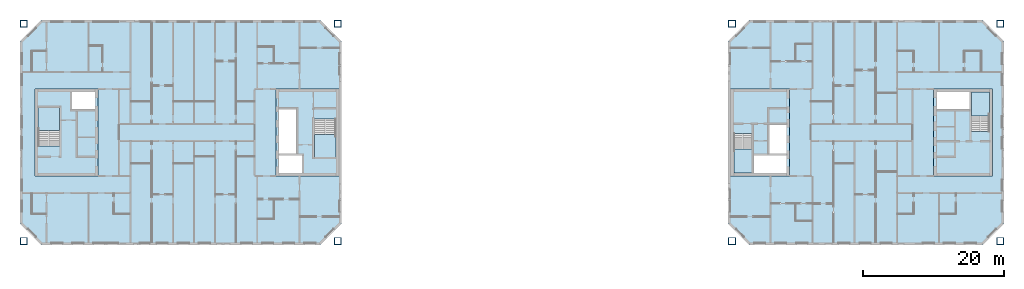
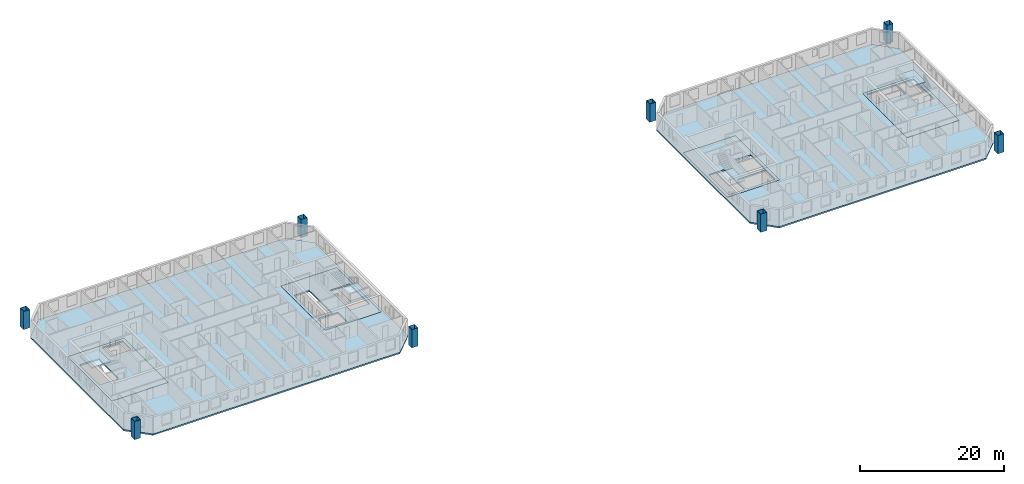
# One storey, part 1 of 15: 10 slabs, 8 columns, 4 elements without a shape of their own.
"""IFC4 building model written with IfcOpenShell, lengths in metres."""

from ifc_helpers import new_model, si_unit, direction, frame, origin, origin_2d, place, context, subcontext, project, spatial, polyline, hollow_rectangle, outline, extrude, material, layer, layer_set, material_profile, profile_set, type_object, element, aggregate, save


model = new_model("IFC4")

# Units and contexts
model_context = context("Model", 3, precision=1e-05, world=origin(), true_north=direction((0.0, 1.0)))
body_context = subcontext(model_context, "Body", "Model", "MODEL_VIEW")
ifc_project = project(units=[si_unit("LENGTHUNIT", "METRE"), si_unit("AREAUNIT", "SQUARE_METRE"), si_unit("VOLUMEUNIT", "CUBIC_METRE"), si_unit("PLANEANGLEUNIT", "RADIAN"), si_unit("MASSUNIT", "GRAM", prefix="KILO")], contexts=[model_context])

# Site, building, storey
site_placement = place(None, origin())
site = spatial("IfcSite", under=ifc_project, at=site_placement, CompositionType="ELEMENT")
building_placement = place(site_placement, origin())
building = spatial("IfcBuilding", under=site, at=building_placement, Name="Tuart Gate Housing", CompositionType="ELEMENT")
storey_placement = place(building_placement, frame((0.0, 0.0, 185.10009765625)))
storey = spatial("IfcBuildingStorey", under=building, at=storey_placement, Name="L52", CompositionType="ELEMENT", Elevation=185.10009765625)

# Columns
ifc_material_1 = material(Name="Steel Grade 350", Category="steel")
ifc_material_profile = material_profile(ifc_material_1, hollow_rectangle(XDim=1.0, YDim=1.0, WallThickness=0.054931640625, at=origin_2d()), Name="BOX 1000x1000x55")
ifc_profile_set = profile_set([ifc_material_profile], Name="Steel Grade 350")
column_type = type_object("IfcColumnType", Name="Mega column BOX 1000x1000x55", PredefinedType="COLUMN", material=ifc_profile_set)
for number, where, z_axis, x_axis, name in (
    (1, (30.800048828125, 54.550048828125, 0.0), (0.0, 0.0, 1.0), (1.0, 0.0, 0.0), "Mega column A south-west L52"),
    (2, (75.449951171875, 54.550048828125, 0.0), (0.0, 0.0, 1.0), (1.0, 0.0, 0.0), "Mega column A south-east L52"),
    (3, (75.449951171875, 85.449951171875, 0.0), (0.0, 0.0, 1.0), (1.0, 0.0, 0.0), "Mega column A north-east L52"),
    (4, (30.800048828125, 85.449951171875, 0.0), (0.0, 0.0, 1.0), (1.0, 0.0, 0.0), "Mega column A north-west L52"),
    (5, (131.550048828125, 54.550048828125, 0.0), (0.0, 0.0, 1.0), (1.0, 0.0, 0.0), "Mega column B south-west L52"),
    (6, (169.699951171875, 54.550048828125, 0.0), (0.0, 0.0, 1.0), (1.0, 0.0, 0.0), "Mega column B south-east L52"),
    (7, (169.699951171875, 85.449951171875, 0.0), (0.0, 0.0, 1.0), (1.0, 0.0, 0.0), "Mega column B north-east L52"),
    (8, (131.550048828125, 85.449951171875, 0.0), (0.0, 0.0, 1.0), (1.0, 0.0, 0.0), "Mega column B north-west L52"),
):
    element("IfcColumn", number, at=place(storey_placement, frame(where, z_axis=z_axis, x_axis=x_axis)), inside=storey, type_object=column_type, Name=name, PredefinedType="COLUMN", context=body_context, shape_type="SweptSolid", body=[
        extrude(hollow_rectangle(XDim=1.0, YDim=1.0, WallThickness=0.054931640625, at=origin_2d()), origin(), (0.0, 0.0, 1.0), 3.099853515625),
    ])

# Slabs
ifc_material_2 = material(Name="Concrete C40", Category="concrete")
ifc_layer_1 = layer(ifc_material_2, 0.25)
ifc_layer_set_1 = layer_set([ifc_layer_1], Name="Core floor slab 250")
slab_type_1 = type_object("IfcSlabType", Name="Core floor slab 250", PredefinedType="FLOOR", material=ifc_layer_set_1)
slab_1_placement = place(storey_placement, frame((0.0, 0.0, -0.25)))
element("IfcSlab", 9, at=slab_1_placement, inside=storey, type_object=slab_type_1, Name="Core floor AG", PredefinedType="FLOOR", context=body_context, shape_type="SweptSolid", body=[
    extrude(outline(polyline([(66.639892578125, 63.800048828125), (75.639892578125, 63.800048828125), (75.639892578125, 76.199951171875), (66.639892578125, 76.199951171875), (66.639892578125, 63.800048828125)]), holes=[polyline([(67.090087890625, 64.25), (70.385009765625, 64.25), (70.385009765625, 66.72509765625), (67.090087890625, 66.72509765625), (67.090087890625, 64.25)]), polyline([(67.090087890625, 66.97509765625), (69.56494140625, 66.97509765625), (69.56494140625, 73.324951171875), (67.090087890625, 73.324951171875), (67.090087890625, 66.97509765625)]), polyline([(72.114990234375, 66.35009765625), (75.18994140625, 66.35009765625), (75.18994140625, 71.929931640625), (72.114990234375, 71.929931640625), (72.114990234375, 66.35009765625)])]), origin(), (0.0, 0.0, 1.0), 0.25),
])
slab_2_placement = place(storey_placement, frame((0.0, 0.0, -0.25)))
element("IfcSlab", 10, at=slab_2_placement, inside=storey, type_object=slab_type_1, Name="Core floor AK", PredefinedType="FLOOR", context=body_context, shape_type="SweptSolid", body=[
    extrude(outline(polyline([(32.360107421875, 63.800048828125), (41.360107421875, 63.800048828125), (41.360107421875, 76.199951171875), (32.360107421875, 76.199951171875), (32.360107421875, 63.800048828125)]), holes=[polyline([(40.909912109375, 75.75), (37.614990234375, 75.75), (37.614990234375, 73.27490234375), (40.909912109375, 73.27490234375), (40.909912109375, 75.75)]), polyline([(35.885009765625, 73.64990234375), (32.81005859375, 73.64990234375), (32.81005859375, 68.070068359375), (35.885009765625, 68.070068359375), (35.885009765625, 73.64990234375)])]), origin(), (0.0, 0.0, 1.0), 0.25),
])
slab_3_placement = place(storey_placement, frame((0.0, 0.0, -0.25)))
element("IfcSlab", 11, at=slab_3_placement, inside=storey, type_object=slab_type_1, Name="Core floor BG", PredefinedType="FLOOR", context=body_context, shape_type="SweptSolid", body=[
    extrude(outline(polyline([(131.360107421875, 63.800048828125), (139.760009765625, 63.800048828125), (139.760009765625, 76.199951171875), (131.360107421875, 76.199951171875), (131.360107421875, 63.800048828125)]), holes=[polyline([(139.31005859375, 66.85009765625), (134.635009765625, 66.85009765625), (134.635009765625, 64.25), (139.31005859375, 64.25), (139.31005859375, 66.85009765625)]), polyline([(139.31005859375, 71.125), (136.8349609375, 71.125), (136.8349609375, 66.97509765625), (139.31005859375, 66.97509765625), (139.31005859375, 71.125)]), polyline([(134.385009765625, 69.85498046875), (131.81005859375, 69.85498046875), (131.81005859375, 64.25), (134.385009765625, 64.25), (134.385009765625, 69.85498046875)])]), origin(), (0.0, 0.0, 1.0), 0.25),
])
slab_4_placement = place(storey_placement, frame((0.0, 0.0, -0.25)))
element("IfcSlab", 12, at=slab_4_placement, inside=storey, type_object=slab_type_1, Name="Core floor BK", PredefinedType="FLOOR", context=body_context, shape_type="SweptSolid", body=[
    extrude(outline(polyline([(160.239990234375, 63.800048828125), (168.639892578125, 63.800048828125), (168.639892578125, 76.199951171875), (160.239990234375, 76.199951171875), (160.239990234375, 63.800048828125)]), holes=[polyline([(160.68994140625, 73.14990234375), (165.364990234375, 73.14990234375), (165.364990234375, 75.75), (160.68994140625, 75.75), (160.68994140625, 73.14990234375)]), polyline([(165.614990234375, 70.14501953125), (168.18994140625, 70.14501953125), (168.18994140625, 75.75), (165.614990234375, 75.75), (165.614990234375, 70.14501953125)])]), origin(), (0.0, 0.0, 1.0), 0.25),
])
ifc_material_3 = material(Name="Concrete C40", Category="concrete")
ifc_layer_2 = layer(ifc_material_3, 0.25)
ifc_layer_set_2 = layer_set([ifc_layer_2], Name="Flat plate 250")
slab_type_2 = type_object("IfcSlabType", Name="Flat plate 250", PredefinedType="FLOOR", material=ifc_layer_set_2)
slab_5_placement = place(storey_placement, frame((0.0, 0.0, -0.25)))
element("IfcSlab", 13, at=slab_5_placement, inside=storey, type_object=slab_type_2, Name="Floor slab A L52", PredefinedType="FLOOR", context=body_context, shape_type="SweptSolid", body=[
    extrude(outline(polyline([(33.25, 86.0), (30.25, 83.0), (30.25, 57.0), (33.25, 54.0), (73.0, 54.0), (76.0, 57.0), (76.0, 83.0), (73.0, 86.0), (33.25, 86.0)]), holes=[polyline([(66.639892578125, 76.199951171875), (75.639892578125, 76.199951171875), (75.639892578125, 63.800048828125), (66.639892578125, 63.800048828125), (66.639892578125, 76.199951171875)]), polyline([(41.360107421875, 76.199951171875), (41.360107421875, 63.800048828125), (32.360107421875, 63.800048828125), (32.360107421875, 76.199951171875), (41.360107421875, 76.199951171875)])]), origin(), (0.0, 0.0, 1.0), 0.25),
])
slab_6_placement = place(storey_placement, frame((0.0, 0.0, -0.25)))
element("IfcSlab", 14, at=slab_6_placement, inside=storey, type_object=slab_type_2, Name="Floor slab B L52", PredefinedType="FLOOR", context=body_context, shape_type="SweptSolid", body=[
    extrude(outline(polyline([(134.0, 86.0), (131.0, 83.0), (131.0, 57.0), (134.0, 54.0), (167.25, 54.0), (170.25, 57.0), (170.25, 83.0), (167.25, 86.0), (134.0, 86.0)]), holes=[polyline([(131.360107421875, 76.199951171875), (139.760009765625, 76.199951171875), (139.760009765625, 63.800048828125), (131.360107421875, 63.800048828125), (131.360107421875, 76.199951171875)]), polyline([(168.639892578125, 76.199951171875), (168.639892578125, 63.800048828125), (160.239990234375, 63.800048828125), (160.239990234375, 76.199951171875), (168.639892578125, 76.199951171875)])]), origin(), (0.0, 0.0, 1.0), 0.25),
])

# Stair, slab
ifc_material_4 = material(Name="Concrete C40", Category="concrete")
stair_type_1 = type_object("IfcStairType", Name="Core stair 1500", PredefinedType="HALF_TURN_STAIR", material=ifc_material_4)
stair_1_placement = place(storey_placement, origin())
stair_1 = element("IfcStair", 15, at=stair_1_placement, inside=storey, type_object=stair_type_1, Name="Stair SA1", PredefinedType="HALF_TURN_STAIR")
ifc_material_5 = material(Name="Concrete C40", Category="concrete")
ifc_layer_3 = layer(ifc_material_5, 0.199951171875)
ifc_layer_set_3 = layer_set([ifc_layer_3], Name="Stair landing 200")
slab_type_3 = type_object("IfcSlabType", Name="Stair landing 200", PredefinedType="LANDING", material=ifc_layer_set_3)
slab_7_placement = place(storey_placement, frame((0.0, 0.0, 1.349853515625)))
slab_7 = element("IfcSlab", 16, at=slab_7_placement, type_object=slab_type_3, Name="SA1 landing 1", PredefinedType="LANDING", context=body_context, shape_type="SweptSolid", body=[
    extrude(outline(polyline([(72.114990234375, 66.35009765625), (75.18994140625, 66.35009765625), (75.18994140625, 69.7099609375), (72.114990234375, 69.7099609375), (72.114990234375, 66.35009765625)])), origin(), (0.0, 0.0, 1.0), 0.199951171875),
])
aggregate(stair_1, [slab_7])

stair_2_placement = place(storey_placement, origin())
stair_2 = element("IfcStair", 17, at=stair_2_placement, inside=storey, type_object=stair_type_1, Name="Stair SA2", PredefinedType="HALF_TURN_STAIR")
slab_8_placement = place(storey_placement, frame((0.0, 0.0, 1.349853515625)))
slab_8 = element("IfcSlab", 18, at=slab_8_placement, type_object=slab_type_3, Name="SA2 landing 1", PredefinedType="LANDING", context=body_context, shape_type="SweptSolid", body=[
    extrude(outline(polyline([(35.885009765625, 73.64990234375), (32.81005859375, 73.64990234375), (32.81005859375, 70.2900390625), (35.885009765625, 70.2900390625), (35.885009765625, 73.64990234375)])), origin(), (0.0, 0.0, 1.0), 0.199951171875),
])
aggregate(stair_2, [slab_8])

ifc_material_6 = material(Name="Concrete C40", Category="concrete")
stair_type_2 = type_object("IfcStairType", Name="Core stair 1250", PredefinedType="HALF_TURN_STAIR", material=ifc_material_6)
stair_3_placement = place(storey_placement, origin())
stair_3 = element("IfcStair", 19, at=stair_3_placement, inside=storey, type_object=stair_type_2, Name="Stair SB1", PredefinedType="HALF_TURN_STAIR")
slab_9_placement = place(storey_placement, frame((0.0, 0.0, 1.349853515625)))
slab_9 = element("IfcSlab", 20, at=slab_9_placement, type_object=slab_type_3, Name="SB1 landing 1", PredefinedType="LANDING", context=body_context, shape_type="SweptSolid", body=[
    extrude(outline(polyline([(134.385009765625, 67.635009765625), (131.81005859375, 67.635009765625), (131.81005859375, 64.25), (134.385009765625, 64.25), (134.385009765625, 67.635009765625)])), origin(), (0.0, 0.0, 1.0), 0.199951171875),
])
aggregate(stair_3, [slab_9])

stair_4_placement = place(storey_placement, origin())
stair_4 = element("IfcStair", 21, at=stair_4_placement, inside=storey, type_object=stair_type_2, Name="Stair SB2", PredefinedType="HALF_TURN_STAIR")
slab_10_placement = place(storey_placement, frame((0.0, 0.0, 1.349853515625)))
slab_10 = element("IfcSlab", 22, at=slab_10_placement, type_object=slab_type_3, Name="SB2 landing 1", PredefinedType="LANDING", context=body_context, shape_type="SweptSolid", body=[
    extrude(outline(polyline([(165.614990234375, 72.364990234375), (168.18994140625, 72.364990234375), (168.18994140625, 75.75), (165.614990234375, 75.75), (165.614990234375, 72.364990234375)])), origin(), (0.0, 0.0, 1.0), 0.199951171875),
])
aggregate(stair_4, [slab_10])

save(model, "model.ifc")
